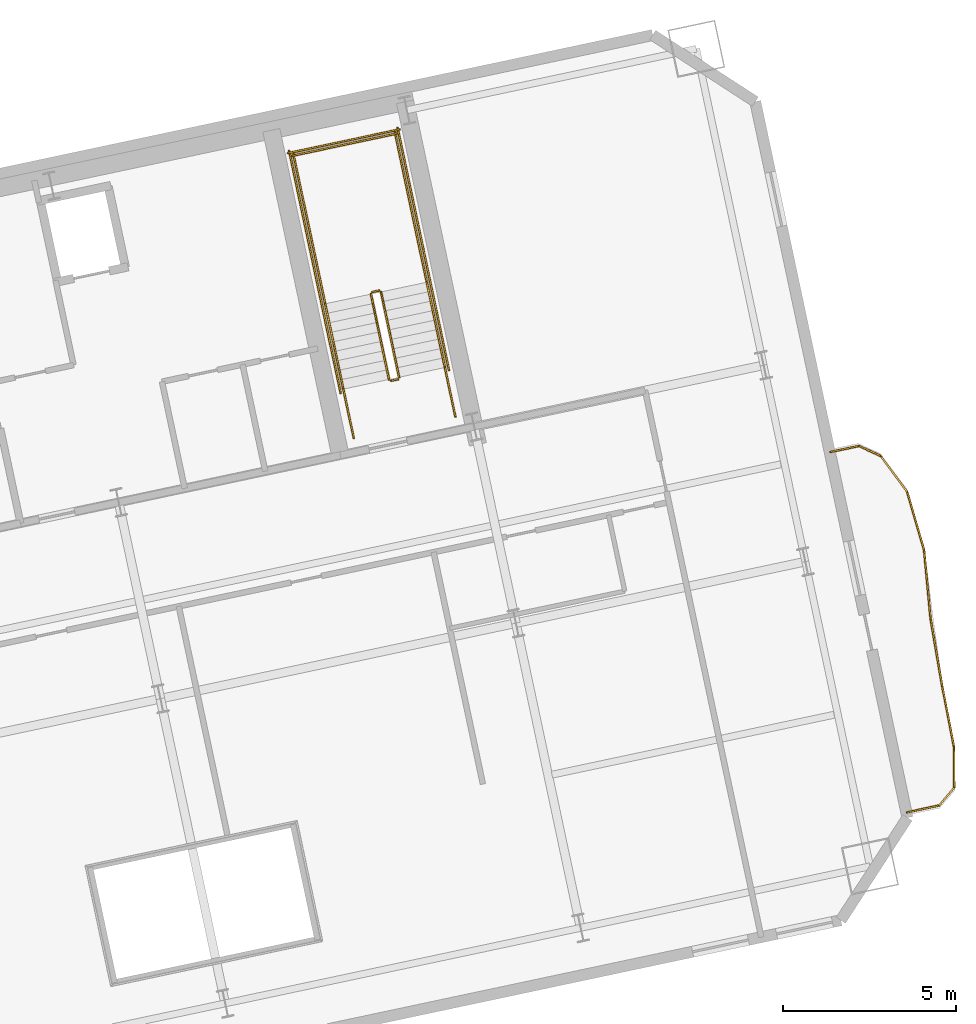
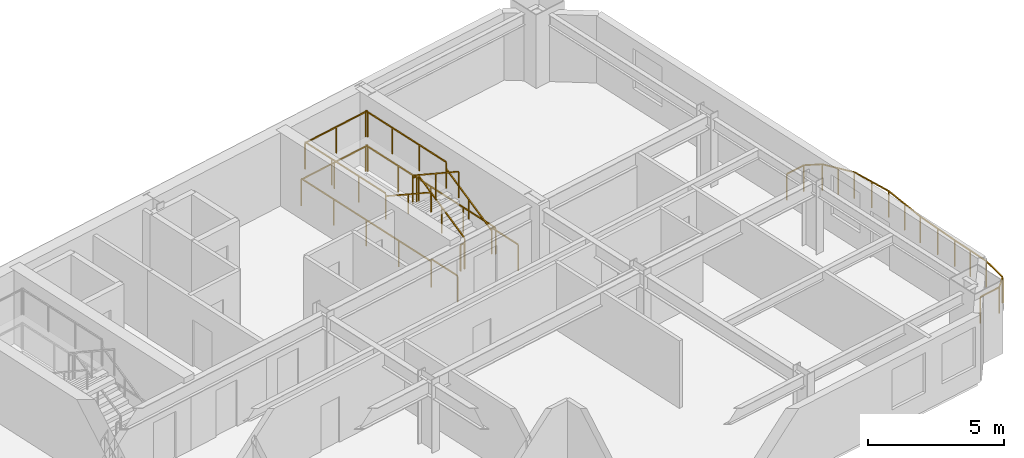
# One storey, part 13 of 13: 24 railings.
"""IFC4 building model written with IfcOpenShell, lengths in metres."""

from ifc_helpers import new_model, si_unit, direction, frame, origin, origin_2d, place, context, subcontext, project, spatial, rectangle, extrude, material, type_object, element, save


model = new_model("IFC4")

# Units and contexts
model_context = context("Model", 3, precision=1e-05, world=origin(), true_north=direction((0.0, 1.0)))
body_context = subcontext(model_context, "Body", "Model", "MODEL_VIEW")
ifc_project = project(units=[si_unit("LENGTHUNIT", "METRE"), si_unit("AREAUNIT", "SQUARE_METRE"), si_unit("VOLUMEUNIT", "CUBIC_METRE"), si_unit("PLANEANGLEUNIT", "RADIAN"), si_unit("MASSUNIT", "GRAM", prefix="KILO")], contexts=[model_context])

# Site, building, storey
site_placement = place(None, origin())
site = spatial("IfcSite", under=ifc_project, at=site_placement, CompositionType="ELEMENT")
building_placement = place(site_placement, origin())
building = spatial("IfcBuilding", under=site, at=building_placement, Name="Haevon Station Towers", CompositionType="ELEMENT")
storey_placement = place(building_placement, frame((0.0, 0.0, 96.60009765625)))
storey = spatial("IfcBuildingStorey", under=building, at=storey_placement, Name="L25", CompositionType="ELEMENT", Elevation=96.60009765625)

# Railings
ifc_material = material(Name="Steel S355", Category="steel")
railing_type_1 = type_object("IfcRailingType", Name="GRD-EXT1200", PredefinedType="GUARDRAIL", material=ifc_material)
railing_1_placement = place(storey_placement, frame((131.806396484375, 30.66943359375, 0.0)))
element("IfcRailing", 1, at=railing_1_placement, inside=storey, type_object=railing_type_1, Name="L25 Perimeter Guardrail 1", PredefinedType="GUARDRAIL", context=body_context, shape_type="SweptSolid", body=[
    extrude(rectangle(XDim=0.048095703125, YDim=0.048095703125, at=origin_2d()), frame((0.0, 0.0, 1.17578125), z_axis=(0.977684892297, 0.210076774952, 0.0), x_axis=(-0.210076774952, 0.977684892297, 0.0)), (0.0, 0.0, 1.0), 0.943603515625),
    extrude(rectangle(XDim=0.0419921875, YDim=0.0419921875, at=origin_2d()), origin(), (0.0, 0.0, 1.0), 1.15185546875),
    extrude(rectangle(XDim=0.0419921875, YDim=0.0419921875, at=origin_2d()), frame((0.922607421875, 0.1982421875, 0.0)), (0.0, 0.0, 1.0), 1.15185546875),
])
railing_2_placement = place(storey_placement, frame((132.72900390625, 30.86767578125, 0.0)))
element("IfcRailing", 2, at=railing_2_placement, inside=storey, type_object=railing_type_1, Name="L25 Perimeter Guardrail 2", PredefinedType="GUARDRAIL", context=body_context, shape_type="SweptSolid", body=[
    extrude(rectangle(XDim=0.048095703125, YDim=0.048095703125, at=origin_2d()), frame((0.0, 0.0, 1.17578125), z_axis=(0.647679999462, 0.761912474171, 0.0), x_axis=(-0.761912474171, 0.647679999462, 0.0)), (0.0, 0.0, 1.0), 0.67333984375),
    extrude(rectangle(XDim=0.0419921875, YDim=0.0419921875, at=origin_2d()), origin(), (0.0, 0.0, 1.0), 1.15185546875),
    extrude(rectangle(XDim=0.0419921875, YDim=0.0419921875, at=origin_2d()), frame((0.43603515625, 0.512939453125, 0.0)), (0.0, 0.0, 1.0), 1.15185546875),
])
railing_3_placement = place(storey_placement, frame((133.1650390625, 31.380615234375, 0.0)))
element("IfcRailing", 3, at=railing_3_placement, inside=storey, type_object=railing_type_1, Name="L25 Perimeter Guardrail 3", PredefinedType="GUARDRAIL", context=body_context, shape_type="SweptSolid", body=[
    extrude(rectangle(XDim=0.048095703125, YDim=0.048095703125, at=origin_2d()), frame((0.0, 0.0, 1.17578125), z_axis=(-0.00838073592, 0.999964881016, 0.0), x_axis=(-0.999964881016, -0.00838073592, 0.0)), (0.0, 0.0, 1.0), 1.1943359375),
    extrude(rectangle(XDim=0.0419921875, YDim=0.0419921875, at=origin_2d()), origin(), (0.0, 0.0, 1.0), 1.15185546875),
    extrude(rectangle(XDim=0.0419921875, YDim=0.0419921875, at=origin_2d()), frame((-0.010009765625, 1.1943359375, 0.0)), (0.0, 0.0, 1.0), 1.15185546875),
])
railing_4_placement = place(storey_placement, frame((133.155029296875, 32.574951171875, 0.0)))
element("IfcRailing", 4, at=railing_4_placement, inside=storey, type_object=railing_type_1, Name="L25 Perimeter Guardrail 4", PredefinedType="GUARDRAIL", context=body_context, shape_type="SweptSolid", body=[
    extrude(rectangle(XDim=0.048095703125, YDim=0.048095703125, at=origin_2d()), frame((0.0, 0.0, 1.17578125), z_axis=(-0.190668058383, 0.981654568325, 0.0), x_axis=(-0.981654568325, -0.190668058383, 0.0)), (0.0, 0.0, 1.0), 1.75048828125),
    extrude(rectangle(XDim=0.0419921875, YDim=0.0419921875, at=origin_2d()), origin(), (0.0, 0.0, 1.0), 1.15185546875),
    extrude(rectangle(XDim=0.0419921875, YDim=0.0419921875, at=origin_2d()), frame((-0.1669921875, 0.859130859375, 0.0)), (0.0, 0.0, 1.0), 1.15185546875),
    extrude(rectangle(XDim=0.0419921875, YDim=0.0419921875, at=origin_2d()), frame((-0.333740234375, 1.71826171875, 0.0)), (0.0, 0.0, 1.0), 1.15185546875),
])
railing_5_placement = place(storey_placement, frame((132.8212890625, 34.293212890625, 0.0)))
element("IfcRailing", 5, at=railing_5_placement, inside=storey, type_object=railing_type_1, Name="L25 Perimeter Guardrail 5", PredefinedType="GUARDRAIL", context=body_context, shape_type="SweptSolid", body=[
    extrude(rectangle(XDim=0.048095703125, YDim=0.048095703125, at=origin_2d()), frame((0.0, 0.0, 1.17578125), z_axis=(-0.170523108989, 0.985353677266, 0.0), x_axis=(-0.985353677266, -0.170523108989, 0.0)), (0.0, 0.0, 1.0), 1.989990234375),
    extrude(rectangle(XDim=0.0419921875, YDim=0.0419921875, at=origin_2d()), origin(), (0.0, 0.0, 1.0), 1.15185546875),
    extrude(rectangle(XDim=0.0419921875, YDim=0.0419921875, at=origin_2d()), frame((-0.169677734375, 0.98046875, 0.0)), (0.0, 0.0, 1.0), 1.15185546875),
    extrude(rectangle(XDim=0.0419921875, YDim=0.0419921875, at=origin_2d()), frame((-0.33935546875, 1.9609375, 0.0)), (0.0, 0.0, 1.0), 1.15185546875),
])
railing_6_placement = place(storey_placement, frame((132.48193359375, 36.254150390625, 0.0)))
element("IfcRailing", 6, at=railing_6_placement, inside=storey, type_object=railing_type_1, Name="L25 Perimeter Guardrail 6", PredefinedType="GUARDRAIL", context=body_context, shape_type="SweptSolid", body=[
    extrude(rectangle(XDim=0.048095703125, YDim=0.048095703125, at=origin_2d()), frame((0.0, 0.0, 1.17578125), z_axis=(-0.094113855165, 0.995561440729, 0.0), x_axis=(-0.995561440729, -0.094113855165, 0.0)), (0.0, 0.0, 1.0), 2.005126953125),
    extrude(rectangle(XDim=0.0419921875, YDim=0.0419921875, at=origin_2d()), origin(), (0.0, 0.0, 1.0), 1.15185546875),
    extrude(rectangle(XDim=0.0419921875, YDim=0.0419921875, at=origin_2d()), frame((-0.09423828125, 0.998046875, 0.0)), (0.0, 0.0, 1.0), 1.15185546875),
    extrude(rectangle(XDim=0.0419921875, YDim=0.0419921875, at=origin_2d()), frame((-0.188720703125, 1.996337890625, 0.0)), (0.0, 0.0, 1.0), 1.15185546875),
])
railing_7_placement = place(storey_placement, frame((132.293212890625, 38.25048828125, 0.0)))
element("IfcRailing", 7, at=railing_7_placement, inside=storey, type_object=railing_type_1, Name="L25 Perimeter Guardrail 7", PredefinedType="GUARDRAIL", context=body_context, shape_type="SweptSolid", body=[
    extrude(rectangle(XDim=0.048095703125, YDim=0.048095703125, at=origin_2d()), frame((0.0, 0.0, 1.17578125), z_axis=(-0.280272794978, 0.959920392739, 0.0), x_axis=(-0.959920392739, -0.280272794978, 0.0)), (0.0, 0.0, 1.0), 1.752685546875),
    extrude(rectangle(XDim=0.0419921875, YDim=0.0419921875, at=origin_2d()), origin(), (0.0, 0.0, 1.0), 1.15185546875),
    extrude(rectangle(XDim=0.0419921875, YDim=0.0419921875, at=origin_2d()), frame((-0.24560546875, 0.84130859375, 0.0)), (0.0, 0.0, 1.0), 1.15185546875),
    extrude(rectangle(XDim=0.0419921875, YDim=0.0419921875, at=origin_2d()), frame((-0.4912109375, 1.682373046875, 0.0)), (0.0, 0.0, 1.0), 1.15185546875),
])
railing_8_placement = place(storey_placement, frame((131.802001953125, 39.932861328125, 0.0)))
element("IfcRailing", 8, at=railing_8_placement, inside=storey, type_object=railing_type_1, Name="L25 Perimeter Guardrail 8", PredefinedType="GUARDRAIL", context=body_context, shape_type="SweptSolid", body=[
    extrude(rectangle(XDim=0.048095703125, YDim=0.048095703125, at=origin_2d()), frame((0.0, 0.0, 1.17578125), z_axis=(-0.594145202687, 0.804357804789, 0.0), x_axis=(-0.804357804789, -0.594145202687, 0.0)), (0.0, 0.0, 1.0), 1.284423828125),
    extrude(rectangle(XDim=0.0419921875, YDim=0.0419921875, at=origin_2d()), origin(), (0.0, 0.0, 1.0), 1.15185546875),
    extrude(rectangle(XDim=0.0419921875, YDim=0.0419921875, at=origin_2d()), frame((-0.381591796875, 0.5166015625, 0.0)), (0.0, 0.0, 1.0), 1.15185546875),
    extrude(rectangle(XDim=0.0419921875, YDim=0.0419921875, at=origin_2d()), frame((-0.76318359375, 1.033203125, 0.0)), (0.0, 0.0, 1.0), 1.15185546875),
])
railing_9_placement = place(storey_placement, frame((131.038818359375, 40.966064453125, 0.0)))
element("IfcRailing", 9, at=railing_9_placement, inside=storey, type_object=railing_type_1, Name="L25 Perimeter Guardrail 9", PredefinedType="GUARDRAIL", context=body_context, shape_type="SweptSolid", body=[
    extrude(rectangle(XDim=0.048095703125, YDim=0.048095703125, at=origin_2d()), frame((0.0, 0.0, 1.17578125), z_axis=(-0.908560452595, 0.41775340092, 0.0), x_axis=(-0.41775340092, -0.908560452595, 0.0)), (0.0, 0.0, 1.0), 0.6884765625),
    extrude(rectangle(XDim=0.0419921875, YDim=0.0419921875, at=origin_2d()), origin(), (0.0, 0.0, 1.0), 1.15185546875),
    extrude(rectangle(XDim=0.0419921875, YDim=0.0419921875, at=origin_2d()), frame((-0.62548828125, 0.28759765625, 0.0)), (0.0, 0.0, 1.0), 1.15185546875),
])
railing_10_placement = place(storey_placement, frame((130.413330078125, 41.253662109375, 0.0)))
element("IfcRailing", 10, at=railing_10_placement, inside=storey, type_object=railing_type_1, Name="L25 Perimeter Guardrail 10", PredefinedType="GUARDRAIL", context=body_context, shape_type="SweptSolid", body=[
    extrude(rectangle(XDim=0.048095703125, YDim=0.048095703125, at=origin_2d()), frame((0.0, 0.0, 1.17578125), z_axis=(-0.978617737227, -0.20568744343, 0.0), x_axis=(0.20568744343, -0.978617737227, 0.0)), (0.0, 0.0, 1.0), 0.837890625),
    extrude(rectangle(XDim=0.0419921875, YDim=0.0419921875, at=origin_2d()), origin(), (0.0, 0.0, 1.0), 1.15185546875),
    extrude(rectangle(XDim=0.0419921875, YDim=0.0419921875, at=origin_2d()), frame((-0.820068359375, -0.17236328125, 0.0)), (0.0, 0.0, 1.0), 1.15185546875),
])
railing_type_2 = type_object("IfcRailingType", Name="GRD-STR1200", PredefinedType="GUARDRAIL", material=ifc_material)
railing_11_placement = place(storey_placement, frame((117.128662109375, 43.23974609375, 0.164794921875)))
element("IfcRailing", 11, at=railing_11_placement, inside=storey, type_object=railing_type_2, Name="L25 ST4 Stair Guard 1", PredefinedType="GUARDRAIL", context=body_context, shape_type="SweptSolid", body=[
    extrude(rectangle(XDim=0.048095703125, YDim=0.048095703125, at=origin_2d()), frame((0.0, 0.0, 1.17578125), z_axis=(-0.179121265225, 0.842687928106, 0.507732831485), x_axis=(-0.978147030254, -0.207914374695, 0.0)), (0.0, 0.0, 1.0), 2.925048828125),
    extrude(rectangle(XDim=0.0419921875, YDim=0.0419921875, at=origin_2d()), origin(), (0.0, 0.0, 1.0), 1.15185546875),
    extrude(rectangle(XDim=0.0419921875, YDim=0.0419921875, at=origin_2d()), frame((-0.261962890625, 1.232421875, 0.74267578125)), (0.0, 0.0, 1.0), 1.15185546875),
    extrude(rectangle(XDim=0.0419921875, YDim=0.0419921875, at=origin_2d()), frame((-0.52392578125, 2.46484375, 1.485107421875)), (0.0, 0.0, 1.0), 1.15185546875),
])
railing_12_placement = place(storey_placement, frame((116.54541015625, 45.7431640625, 1.64990234375)))
element("IfcRailing", 12, at=railing_12_placement, inside=storey, type_object=railing_type_2, Name="L25 ST4 Stair Guard 2", PredefinedType="GUARDRAIL", context=body_context, shape_type="SweptSolid", body=[
    extrude(rectangle(XDim=0.048095703125, YDim=0.048095703125, at=origin_2d()), frame((0.0, 0.0, 1.17578125), z_axis=(-0.97826412705, -0.207362720198, 0.0), x_axis=(0.207362720198, -0.97826412705, 0.0)), (0.0, 0.0, 1.0), 0.2001953125),
    extrude(rectangle(XDim=0.0419921875, YDim=0.0419921875, at=origin_2d()), origin(), (0.0, 0.0, 1.0), 1.15185546875),
    extrude(rectangle(XDim=0.0419921875, YDim=0.0419921875, at=origin_2d()), frame((-0.19580078125, -0.04150390625, 0.0)), (0.0, 0.0, 1.0), 1.15185546875),
])
railing_13_placement = place(storey_placement, frame((117.925048828125, 45.9853515625, 1.64990234375)))
element("IfcRailing", 13, at=railing_13_placement, inside=storey, type_object=railing_type_2, Name="L25 ST4 Stair Guard 3", PredefinedType="GUARDRAIL", context=body_context, shape_type="SweptSolid", body=[
    extrude(rectangle(XDim=0.048095703125, YDim=0.048095703125, at=origin_2d()), frame((0.0, 0.0, 1.17578125), z_axis=(-0.207876551949, 0.978155069071, 0.0), x_axis=(-0.978155069071, -0.207876551949, 0.0)), (0.0, 0.0, 1.0), 4.429931640625),
    extrude(rectangle(XDim=0.0419921875, YDim=0.0419921875, at=origin_2d()), origin(), (0.0, 0.0, 1.0), 1.15185546875),
    extrude(rectangle(XDim=0.0419921875, YDim=0.0419921875, at=origin_2d()), frame((-0.306884765625, 1.4443359375, 0.0)), (0.0, 0.0, 1.0), 1.15185546875),
    extrude(rectangle(XDim=0.0419921875, YDim=0.0419921875, at=origin_2d()), frame((-0.614013671875, 2.888916015625, 0.0)), (0.0, 0.0, 1.0), 1.15185546875),
    extrude(rectangle(XDim=0.0419921875, YDim=0.0419921875, at=origin_2d()), frame((-0.9208984375, 4.333251953125, 0.0)), (0.0, 0.0, 1.0), 1.15185546875),
])
railing_14_placement = place(storey_placement, frame((114.99072265625, 45.361572265625, 1.64990234375)))
element("IfcRailing", 14, at=railing_14_placement, inside=storey, type_object=railing_type_2, Name="L25 ST4 Stair Guard 4", PredefinedType="GUARDRAIL", context=body_context, shape_type="SweptSolid", body=[
    extrude(rectangle(XDim=0.048095703125, YDim=0.048095703125, at=origin_2d()), frame((0.0, 0.0, 1.17578125), z_axis=(-0.207929280007, 0.978143861871, 0.0), x_axis=(-0.978143861871, -0.207929280007, 0.0)), (0.0, 0.0, 1.0), 4.43017578125),
    extrude(rectangle(XDim=0.0419921875, YDim=0.0419921875, at=origin_2d()), origin(), (0.0, 0.0, 1.0), 1.15185546875),
    extrude(rectangle(XDim=0.0419921875, YDim=0.0419921875, at=origin_2d()), frame((-0.30712890625, 1.4443359375, 0.0)), (0.0, 0.0, 1.0), 1.15185546875),
    extrude(rectangle(XDim=0.0419921875, YDim=0.0419921875, at=origin_2d()), frame((-0.614013671875, 2.888916015625, 0.0)), (0.0, 0.0, 1.0), 1.15185546875),
    extrude(rectangle(XDim=0.0419921875, YDim=0.0419921875, at=origin_2d()), frame((-0.921142578125, 4.333251953125, 0.0)), (0.0, 0.0, 1.0), 1.15185546875),
])
railing_15_placement = place(storey_placement, frame((117.0634765625, 50.280029296875, 1.64990234375)))
element("IfcRailing", 15, at=railing_15_placement, inside=storey, type_object=railing_type_2, Name="L25 ST4 Stair Guard 5", PredefinedType="GUARDRAIL", context=body_context, shape_type="SweptSolid", body=[
    extrude(rectangle(XDim=0.048095703125, YDim=0.048095703125, at=origin_2d()), frame((0.0, 0.0, 1.17578125), z_axis=(-0.978146839882, -0.207915270313, 0.0), x_axis=(0.207915270313, -0.978146839882, 0.0)), (0.0, 0.0, 1.0), 3.099853515625),
    extrude(rectangle(XDim=0.0419921875, YDim=0.0419921875, at=origin_2d()), origin(), (0.0, 0.0, 1.0), 1.15185546875),
    extrude(rectangle(XDim=0.0419921875, YDim=0.0419921875, at=origin_2d()), frame((-1.51611328125, -0.322265625, 0.0)), (0.0, 0.0, 1.0), 1.15185546875),
    extrude(rectangle(XDim=0.0419921875, YDim=0.0419921875, at=origin_2d()), frame((-3.0322265625, -0.64453125, 0.0)), (0.0, 0.0, 1.0), 1.15185546875),
])
railing_16_placement = place(storey_placement, frame((116.311279296875, 45.642333984375, 1.81494140625)))
element("IfcRailing", 16, at=railing_16_placement, inside=storey, type_object=railing_type_2, Name="L25 ST4 Stair Guard 6", PredefinedType="GUARDRAIL", context=body_context, shape_type="SweptSolid", body=[
    extrude(rectangle(XDim=0.048095703125, YDim=0.048095703125, at=origin_2d()), frame((0.0, 0.0, 1.17578125), z_axis=(0.179116256339, -0.842747828638, 0.507635168246), x_axis=(0.978151217824, 0.207894673017, 0.0)), (0.0, 0.0, 1.0), 2.925048828125),
    extrude(rectangle(XDim=0.0419921875, YDim=0.0419921875, at=origin_2d()), origin(), (0.0, 0.0, 1.0), 1.15185546875),
    extrude(rectangle(XDim=0.0419921875, YDim=0.0419921875, at=origin_2d()), frame((0.261962890625, -1.232421875, 0.742431640625)), (0.0, 0.0, 1.0), 1.15185546875),
    extrude(rectangle(XDim=0.0419921875, YDim=0.0419921875, at=origin_2d()), frame((0.52392578125, -2.465087890625, 1.48486328125)), (0.0, 0.0, 1.0), 1.15185546875),
])
railing_17_placement = place(storey_placement, frame((117.090087890625, 43.180419921875, 0.0)))
element("IfcRailing", 17, at=railing_17_placement, inside=storey, type_object=railing_type_2, Name="L25 ST4 Stair Guard 7", PredefinedType="GUARDRAIL", context=body_context, shape_type="SweptSolid", body=[
    extrude(rectangle(XDim=0.048095703125, YDim=0.048095703125, at=origin_2d()), frame((0.0, 0.0, 1.17578125), z_axis=(-0.978211583308, -0.207610448392, 0.0), x_axis=(0.207610448392, -0.978211583308, 0.0)), (0.0, 0.0, 1.0), 0.199951171875),
    extrude(rectangle(XDim=0.0419921875, YDim=0.0419921875, at=origin_2d()), origin(), (0.0, 0.0, 1.0), 1.15185546875),
    extrude(rectangle(XDim=0.0419921875, YDim=0.0419921875, at=origin_2d()), frame((-0.195556640625, -0.04150390625, 0.0)), (0.0, 0.0, 1.0), 1.15185546875),
])
for number, where, name in (
    (18, (118.75048828125, 42.10205078125, 0.0), "L25 ST4 Stair Guard 8"),
    (19, (115.816162109375, 41.478271484375, 0.0), "L25 ST4 Stair Guard 9"),
):
    element("IfcRailing", number, at=place(storey_placement, frame(where)), inside=storey, type_object=railing_type_2, Name=name, PredefinedType="GUARDRAIL", context=body_context, shape_type="SweptSolid", body=[
        extrude(rectangle(XDim=0.048095703125, YDim=0.048095703125, at=origin_2d()), frame((0.0, 0.0, 1.17578125), z_axis=(-0.207919161079, 0.978146012851, 0.0), x_axis=(-0.978146012851, -0.207919161079, 0.0)), (0.0, 0.0, 1.0), 1.4501953125),
        extrude(rectangle(XDim=0.0419921875, YDim=0.0419921875, at=origin_2d()), origin(), (0.0, 0.0, 1.0), 1.15185546875),
        extrude(rectangle(XDim=0.0419921875, YDim=0.0419921875, at=origin_2d()), frame((-0.301513671875, 1.41845703125, 0.0)), (0.0, 0.0, 1.0), 1.15185546875),
    ])
railing_18_placement = place(storey_placement, frame((118.567626953125, 43.443359375, 0.0)))
element("IfcRailing", 20, at=railing_18_placement, inside=storey, type_object=railing_type_2, Name="L25 ST4 Stair Guard 10", PredefinedType="GUARDRAIL", context=body_context, shape_type="SweptSolid", body=[
    extrude(rectangle(XDim=0.048095703125, YDim=0.048095703125, at=origin_2d()), frame((0.0, 0.0, 1.17578125), z_axis=(-0.207908168386, 0.978148349443, 0.0), x_axis=(-0.978148349443, -0.207908168386, 0.0)), (0.0, 0.0, 1.0), 7.150146484375),
    extrude(rectangle(XDim=0.0419921875, YDim=0.0419921875, at=origin_2d()), origin(), (0.0, 0.0, 1.0), 1.15185546875),
    extrude(rectangle(XDim=0.0419921875, YDim=0.0419921875, at=origin_2d()), frame((-0.37158203125, 1.74853515625, 0.0)), (0.0, 0.0, 1.0), 1.15185546875),
    extrude(rectangle(XDim=0.0419921875, YDim=0.0419921875, at=origin_2d()), frame((-0.7431640625, 3.4970703125, 0.0)), (0.0, 0.0, 1.0), 1.15185546875),
    extrude(rectangle(XDim=0.0419921875, YDim=0.0419921875, at=origin_2d()), frame((-1.114990234375, 5.245361328125, 0.0)), (0.0, 0.0, 1.0), 1.15185546875),
    extrude(rectangle(XDim=0.0419921875, YDim=0.0419921875, at=origin_2d()), frame((-1.486572265625, 6.993896484375, 0.0)), (0.0, 0.0, 1.0), 1.15185546875),
])
railing_19_placement = place(storey_placement, frame((115.4375, 42.778076171875, 0.0)))
element("IfcRailing", 21, at=railing_19_placement, inside=storey, type_object=railing_type_2, Name="L25 ST4 Stair Guard 11", PredefinedType="GUARDRAIL", context=body_context, shape_type="SweptSolid", body=[
    extrude(rectangle(XDim=0.048095703125, YDim=0.048095703125, at=origin_2d()), frame((0.0, 0.0, 1.17578125), z_axis=(-0.207882442208, 0.978153817261, 0.0), x_axis=(-0.978153817261, -0.207882442208, 0.0)), (0.0, 0.0, 1.0), 7.14990234375),
    extrude(rectangle(XDim=0.0419921875, YDim=0.0419921875, at=origin_2d()), origin(), (0.0, 0.0, 1.0), 1.15185546875),
    extrude(rectangle(XDim=0.0419921875, YDim=0.0419921875, at=origin_2d()), frame((-0.37158203125, 1.74853515625, 0.0)), (0.0, 0.0, 1.0), 1.15185546875),
    extrude(rectangle(XDim=0.0419921875, YDim=0.0419921875, at=origin_2d()), frame((-0.7431640625, 3.496826171875, 0.0)), (0.0, 0.0, 1.0), 1.15185546875),
    extrude(rectangle(XDim=0.0419921875, YDim=0.0419921875, at=origin_2d()), frame((-1.11474609375, 5.2451171875, 0.0)), (0.0, 0.0, 1.0), 1.15185546875),
    extrude(rectangle(XDim=0.0419921875, YDim=0.0419921875, at=origin_2d()), frame((-1.486328125, 6.99365234375, 0.0)), (0.0, 0.0, 1.0), 1.15185546875),
])
railing_20_placement = place(storey_placement, frame((117.140380859375, 50.398681640625, 0.0)))
element("IfcRailing", 22, at=railing_20_placement, inside=storey, type_object=railing_type_2, Name="L25 ST4 Stair Guard 12", PredefinedType="GUARDRAIL", context=body_context, shape_type="SweptSolid", body=[
    extrude(rectangle(XDim=0.048095703125, YDim=0.048095703125, at=origin_2d()), frame((0.0, 0.0, 1.17578125), z_axis=(-0.978135717418, -0.207967589567, 0.0), x_axis=(0.207967589567, -0.978135717418, 0.0)), (0.0, 0.0, 1.0), 3.300048828125),
    extrude(rectangle(XDim=0.0419921875, YDim=0.0419921875, at=origin_2d()), origin(), (0.0, 0.0, 1.0), 1.15185546875),
    extrude(rectangle(XDim=0.0419921875, YDim=0.0419921875, at=origin_2d()), frame((-1.61376953125, -0.34326171875, 0.0)), (0.0, 0.0, 1.0), 1.15185546875),
    extrude(rectangle(XDim=0.0419921875, YDim=0.0419921875, at=origin_2d()), frame((-3.227783203125, -0.686279296875, 0.0)), (0.0, 0.0, 1.0), 1.15185546875),
])
railing_type_3 = type_object("IfcRailingType", Name="HND-STR900", PredefinedType="HANDRAIL", material=ifc_material)
railing_21_placement = place(storey_placement, frame((118.448974609375, 43.5205078125, 0.164794921875)))
element("IfcRailing", 23, at=railing_21_placement, inside=storey, type_object=railing_type_3, Name="L25 ST4 Stair Handrail 1", PredefinedType="HANDRAIL", context=body_context, shape_type="SweptSolid", body=[
    extrude(rectangle(XDim=0.048095703125, YDim=0.048095703125, at=origin_2d()), frame((0.0, 0.0, 0.8759765625), z_axis=(-0.179121265225, 0.842687928106, 0.507732831485), x_axis=(-0.978147030254, -0.207914374695, 0.0)), (0.0, 0.0, 1.0), 2.925048828125),
    extrude(rectangle(XDim=0.0419921875, YDim=0.0419921875, at=origin_2d()), origin(), (0.0, 0.0, 1.0), 0.851806640625),
    extrude(rectangle(XDim=0.0419921875, YDim=0.0419921875, at=origin_2d()), frame((-0.261962890625, 1.232421875, 0.74267578125)), (0.0, 0.0, 1.0), 0.851806640625),
    extrude(rectangle(XDim=0.0419921875, YDim=0.0419921875, at=origin_2d()), frame((-0.52392578125, 2.46484375, 1.485107421875)), (0.0, 0.0, 1.0), 0.851806640625),
])
railing_22_placement = place(storey_placement, frame((114.99072265625, 45.361572265625, 1.81494140625)))
element("IfcRailing", 24, at=railing_22_placement, inside=storey, type_object=railing_type_3, Name="L25 ST4 Stair Handrail 2", PredefinedType="HANDRAIL", context=body_context, shape_type="SweptSolid", body=[
    extrude(rectangle(XDim=0.048095703125, YDim=0.048095703125, at=origin_2d()), frame((0.0, 0.0, 0.8759765625), z_axis=(0.179128856099, -0.842723639875, 0.507670877349), x_axis=(0.978147030254, 0.207914374695, 0.0)), (0.0, 0.0, 1.0), 2.9248046875),
    extrude(rectangle(XDim=0.0419921875, YDim=0.0419921875, at=origin_2d()), origin(), (0.0, 0.0, 1.0), 0.851806640625),
    extrude(rectangle(XDim=0.0419921875, YDim=0.0419921875, at=origin_2d()), frame((0.261962890625, -1.232421875, 0.742431640625)), (0.0, 0.0, 1.0), 0.851806640625),
    extrude(rectangle(XDim=0.0419921875, YDim=0.0419921875, at=origin_2d()), frame((0.52392578125, -2.46484375, 1.48486328125)), (0.0, 0.0, 1.0), 0.851806640625),
])

save(model, "model.ifc")
